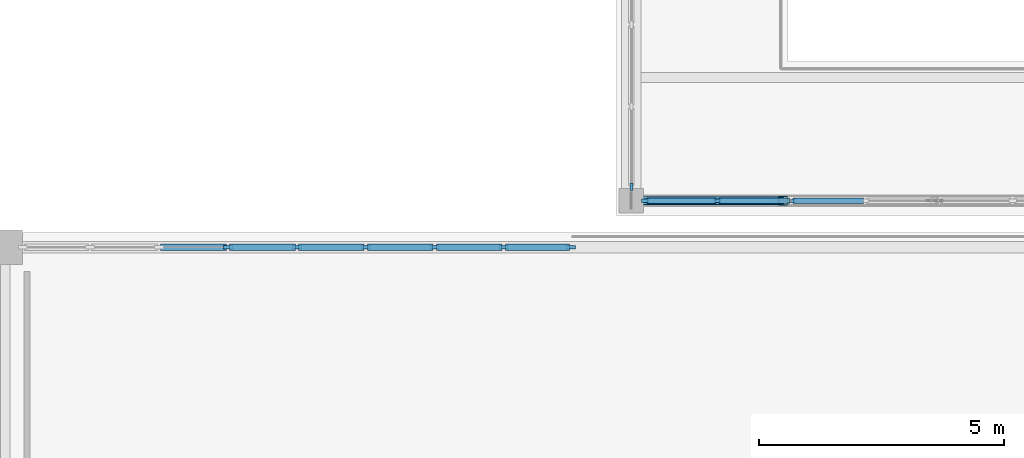
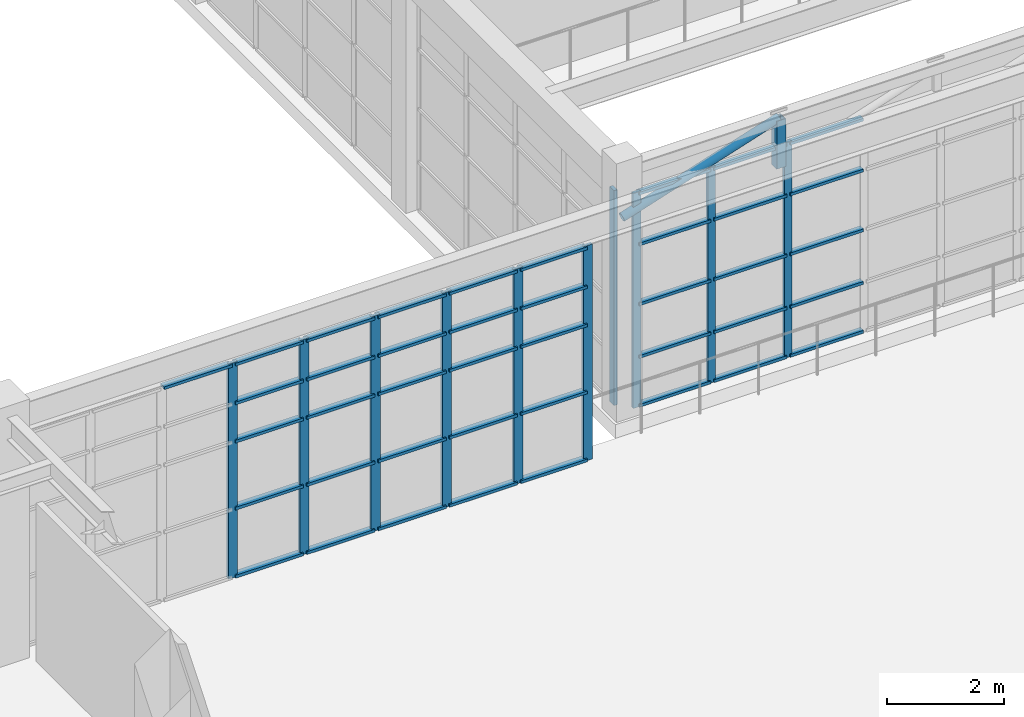
# One storey, part 44 of 103: 53 members, 3 elements without a shape of their own.
"""IFC4 building model written with IfcOpenShell, lengths in metres."""

from ifc_helpers import new_model, si_unit, direction, frame, origin, origin_2d, place, context, subcontext, project, spatial, rectangle, hollow_rectangle, hollow_circle, extrude, material, layer, layer_set, material_profile, profile_set, type_object, element, aggregate, save


model = new_model("IFC4")

# Units and contexts
model_context = context("Model", 3, precision=1e-05, world=origin(), true_north=direction((0.0, 1.0)))
body_context = subcontext(model_context, "Body", "Model", "MODEL_VIEW")
ifc_project = project(units=[si_unit("LENGTHUNIT", "METRE"), si_unit("AREAUNIT", "SQUARE_METRE"), si_unit("VOLUMEUNIT", "CUBIC_METRE"), si_unit("PLANEANGLEUNIT", "RADIAN"), si_unit("MASSUNIT", "GRAM", prefix="KILO")], contexts=[model_context])

# Site, building, storey
site_placement = place(None, origin())
site = spatial("IfcSite", under=ifc_project, at=site_placement, CompositionType="ELEMENT")
building_placement = place(site_placement, origin())
building = spatial("IfcBuilding", under=site, at=building_placement, Name="Candilejo Ridge Gondola Terminal", CompositionType="ELEMENT")
storey_placement = place(building_placement, frame((0.0, 0.0, 9.0)))
storey = spatial("IfcBuildingStorey", under=building, at=storey_placement, Name="L02", CompositionType="ELEMENT", Elevation=9.0)

# Curtain wall, member
ifc_material_1 = material(Name="Anodised aluminium AA 6063-T6", Category="aluminium")
ifc_layer_1 = layer(ifc_material_1, 0.169921875)
ifc_layer_set_1 = layer_set([ifc_layer_1], Name="ARC-CW-TOWER-3000-670X449")
curtain_wall_type_1 = type_object("IfcCurtainWallType", Name="ARC-CW-TOWER-3000-670X449", PredefinedType="NOTDEFINED", material=ifc_layer_set_1)
curtain_wall_1_placement = place(storey_placement, origin())
curtain_wall_1 = element("IfcCurtainWall", 1, at=curtain_wall_1_placement, inside=storey, type_object=curtain_wall_type_1, Name="Curtain wall V5 L02-174", PredefinedType="NOTDEFINED")
ifc_material_2 = material(Name="Anodised aluminium AA 6063-T6", Category="aluminium")
ifc_material_profile_1 = material_profile(ifc_material_2, rectangle(XDim=0.06494140625, YDim=0.14990234375, at=origin_2d()))
ifc_profile_set_1 = profile_set([ifc_material_profile_1], Name="Anodised aluminium AA 6063-T6")
member_type_1 = type_object("IfcMemberType", Name="ARC-CW-MULLION-150", PredefinedType="MULLION", material=ifc_profile_set_1)
member_1_placement = place(storey_placement, frame((150.0, 48.9326171875, 0.0), z_axis=(0.0, 0.0, 1.0), x_axis=(-1.0, 0.0, 0.0)))
member_1 = element("IfcMember", 2, at=member_1_placement, type_object=member_type_1, Name="CW-67X44 mullion 1", PredefinedType="MULLION", context=body_context, shape_type="SweptSolid", body=[
    extrude(rectangle(XDim=0.06494140625, YDim=0.14990234375, at=origin_2d()), origin(), (0.0, 0.0, 1.0), 4.489990234375),
])
aggregate(curtain_wall_1, [member_1])

# Curtain wall, members
ifc_material_3 = material(Name="Anodised aluminium AA 6063-T6", Category="aluminium")
ifc_layer_2 = layer(ifc_material_3, 0.169921875)
ifc_layer_set_2 = layer_set([ifc_layer_2], Name="ARC-CW-TOWER-3000-1810X449")
curtain_wall_type_2 = type_object("IfcCurtainWallType", Name="ARC-CW-TOWER-3000-1810X449", PredefinedType="NOTDEFINED", material=ifc_layer_set_2)
curtain_wall_2_placement = place(storey_placement, origin())
curtain_wall_2 = element("IfcCurtainWall", 3, at=curtain_wall_2_placement, inside=storey, type_object=curtain_wall_type_2, Name="Curtain wall V5 L02-192", PredefinedType="NOTDEFINED")
member_2_placement = place(storey_placement, frame((150.282470703125, 48.64990234375, 0.0), z_axis=(0.0, 0.0, 1.0), x_axis=(0.0, 1.0, 0.0)))
member_2 = element("IfcMember", 4, at=member_2_placement, type_object=member_type_1, Name="CW-181X44 mullion 1", PredefinedType="MULLION", context=body_context, shape_type="SweptSolid", body=[
    extrude(rectangle(XDim=0.06494140625, YDim=0.14990234375, at=origin_2d()), origin(), (0.0, 0.0, 1.0), 4.489990234375),
])
member_3_placement = place(storey_placement, frame((151.75830078125, 48.64990234375, 0.0), z_axis=(0.0, 0.0, 1.0), x_axis=(0.0, 1.0, 0.0)))
member_3 = element("IfcMember", 5, at=member_3_placement, type_object=member_type_1, Name="CW-181X44 mullion 2", PredefinedType="MULLION", context=body_context, shape_type="SweptSolid", body=[
    extrude(rectangle(XDim=0.06494140625, YDim=0.14990234375, at=origin_2d()), origin(), (0.0, 0.0, 1.0), 4.489990234375),
])
member_4_placement = place(storey_placement, frame((153.2666015625, 48.64990234375, 0.0), z_axis=(0.0, 0.0, 1.0), x_axis=(0.0, 1.0, 0.0)))
member_4 = element("IfcMember", 6, at=member_4_placement, type_object=member_type_1, Name="CW-181X44 mullion 3", PredefinedType="MULLION", context=body_context, shape_type="SweptSolid", body=[
    extrude(rectangle(XDim=0.06494140625, YDim=0.14990234375, at=origin_2d()), origin(), (0.0, 0.0, 1.0), 4.489990234375),
])

ifc_material_4 = material(Name="Anodised aluminium AA 6063-T6", Category="aluminium")
ifc_layer_3 = layer(ifc_material_4, 0.169921875)
ifc_layer_set_3 = layer_set([ifc_layer_3], Name="ARC-CW-HALL-3800-1128X449")
curtain_wall_type_3 = type_object("IfcCurtainWallType", Name="ARC-CW-HALL-3800-1128X449", PredefinedType="NOTDEFINED", material=ifc_layer_set_3)
curtain_wall_3_placement = place(storey_placement, origin())
curtain_wall_3 = element("IfcCurtainWall", 7, at=curtain_wall_3_placement, inside=storey, type_object=curtain_wall_type_3, Name="Curtain wall V4 L02-151", PredefinedType="NOTDEFINED")
ifc_material_5 = material(Name="Anodised aluminium AA 6063-T6", Category="aluminium")
ifc_material_profile_2 = material_profile(ifc_material_5, rectangle(XDim=0.06494140625, YDim=0.179931640625, at=origin_2d()))
ifc_profile_set_2 = profile_set([ifc_material_profile_2], Name="Anodised aluminium AA 6063-T6")
member_type_2 = type_object("IfcMemberType", Name="ARC-CW-MULLION-180", PredefinedType="MULLION", material=ifc_profile_set_2)
member_5_placement = place(storey_placement, frame((141.753173828125, 47.699951171875, 0.0), z_axis=(0.0, 0.0, 1.0), x_axis=(0.0, 1.0, 0.0)))
member_5 = element("IfcMember", 8, at=member_5_placement, type_object=member_type_2, Name="CW-112X44 mullion 4", PredefinedType="MULLION", context=body_context, shape_type="SweptSolid", body=[
    extrude(rectangle(XDim=0.06494140625, YDim=0.179931640625, at=origin_2d()), origin(), (0.0, 0.0, 1.0), 4.489990234375),
])
member_6_placement = place(storey_placement, frame((143.16259765625, 47.699951171875, 0.0), z_axis=(0.0, 0.0, 1.0), x_axis=(0.0, 1.0, 0.0)))
member_6 = element("IfcMember", 9, at=member_6_placement, type_object=member_type_2, Name="CW-112X44 mullion 5", PredefinedType="MULLION", context=body_context, shape_type="SweptSolid", body=[
    extrude(rectangle(XDim=0.06494140625, YDim=0.179931640625, at=origin_2d()), origin(), (0.0, 0.0, 1.0), 4.489990234375),
])
member_7_placement = place(storey_placement, frame((144.57177734375, 47.699951171875, 0.0), z_axis=(0.0, 0.0, 1.0), x_axis=(0.0, 1.0, 0.0)))
member_7 = element("IfcMember", 10, at=member_7_placement, type_object=member_type_2, Name="CW-112X44 mullion 6", PredefinedType="MULLION", context=body_context, shape_type="SweptSolid", body=[
    extrude(rectangle(XDim=0.06494140625, YDim=0.179931640625, at=origin_2d()), origin(), (0.0, 0.0, 1.0), 4.489990234375),
])
member_8_placement = place(storey_placement, frame((145.981201171875, 47.699951171875, 0.0), z_axis=(0.0, 0.0, 1.0), x_axis=(0.0, 1.0, 0.0)))
member_8 = element("IfcMember", 11, at=member_8_placement, type_object=member_type_2, Name="CW-112X44 mullion 7", PredefinedType="MULLION", context=body_context, shape_type="SweptSolid", body=[
    extrude(rectangle(XDim=0.06494140625, YDim=0.179931640625, at=origin_2d()), origin(), (0.0, 0.0, 1.0), 4.489990234375),
])
member_9_placement = place(storey_placement, frame((147.390625, 47.699951171875, 0.0), z_axis=(0.0, 0.0, 1.0), x_axis=(0.0, 1.0, 0.0)))
member_9 = element("IfcMember", 12, at=member_9_placement, type_object=member_type_2, Name="CW-112X44 mullion 8", PredefinedType="MULLION", context=body_context, shape_type="SweptSolid", body=[
    extrude(rectangle(XDim=0.06494140625, YDim=0.179931640625, at=origin_2d()), origin(), (0.0, 0.0, 1.0), 4.489990234375),
])
member_10_placement = place(storey_placement, frame((148.767578125, 47.699951171875, 0.0), z_axis=(0.0, 0.0, 1.0), x_axis=(0.0, 1.0, 0.0)))
member_10 = element("IfcMember", 13, at=member_10_placement, type_object=member_type_2, Name="CW-112X44 mullion 9", PredefinedType="MULLION", context=body_context, shape_type="SweptSolid", body=[
    extrude(rectangle(XDim=0.06494140625, YDim=0.179931640625, at=origin_2d()), origin(), (0.0, 0.0, 1.0), 4.489990234375),
])

# Member
ifc_material_6 = material(Name="Anodised aluminium AA 6063-T6", Category="aluminium")
ifc_material_profile_3 = material_profile(ifc_material_6, rectangle(XDim=0.110107421875, YDim=0.06005859375, at=origin_2d()))
ifc_profile_set_3 = profile_set([ifc_material_profile_3], Name="Anodised aluminium AA 6063-T6")
member_type_3 = type_object("IfcMemberType", Name="ARC-CW-TRANSOM-110", PredefinedType="USERDEFINED", material=ifc_profile_set_3)
member_11_placement = place(storey_placement, frame((150.31494140625, 48.64990234375, 0.030029296875), z_axis=(1.0, 0.0, 0.0), x_axis=(0.0, 1.0, 0.0)))
member_11 = element("IfcMember", 14, at=member_11_placement, type_object=member_type_3, Name="CW-181X44 transom 1.1", ObjectType="TRANSOM", PredefinedType="USERDEFINED", context=body_context, shape_type="SweptSolid", body=[
    extrude(rectangle(XDim=0.110107421875, YDim=0.06005859375, at=origin_2d()), origin(), (0.0, 0.0, 1.0), 1.410888671875),
])

member_12_placement = place(storey_placement, frame((150.31494140625, 48.64990234375, 1.050048828125), z_axis=(1.0, 0.0, 0.0), x_axis=(0.0, 1.0, 0.0)))
member_12 = element("IfcMember", 15, at=member_12_placement, type_object=member_type_3, Name="CW-181X44 transom 1.2", ObjectType="TRANSOM", PredefinedType="USERDEFINED", context=body_context, shape_type="SweptSolid", body=[
    extrude(rectangle(XDim=0.110107421875, YDim=0.06005859375, at=origin_2d()), origin(), (0.0, 0.0, 1.0), 1.410888671875),
])

member_13_placement = place(storey_placement, frame((150.31494140625, 48.64990234375, 2.14990234375), z_axis=(1.0, 0.0, 0.0), x_axis=(0.0, 1.0, 0.0)))
member_13 = element("IfcMember", 16, at=member_13_placement, type_object=member_type_3, Name="CW-181X44 transom 1.3", ObjectType="TRANSOM", PredefinedType="USERDEFINED", context=body_context, shape_type="SweptSolid", body=[
    extrude(rectangle(XDim=0.110107421875, YDim=0.06005859375, at=origin_2d()), origin(), (0.0, 0.0, 1.0), 1.410888671875),
])

member_14_placement = place(storey_placement, frame((150.31494140625, 48.64990234375, 3.39990234375), z_axis=(1.0, 0.0, 0.0), x_axis=(0.0, 1.0, 0.0)))
member_14 = element("IfcMember", 17, at=member_14_placement, type_object=member_type_3, Name="CW-181X44 transom 1.4", ObjectType="TRANSOM", PredefinedType="USERDEFINED", context=body_context, shape_type="SweptSolid", body=[
    extrude(rectangle(XDim=0.110107421875, YDim=0.06005859375, at=origin_2d()), origin(), (0.0, 0.0, 1.0), 1.410888671875),
])

member_15_placement = place(storey_placement, frame((150.31494140625, 48.64990234375, 4.4599609375), z_axis=(1.0, 0.0, 0.0), x_axis=(0.0, 1.0, 0.0)))
member_15 = element("IfcMember", 18, at=member_15_placement, type_object=member_type_3, Name="CW-181X44 transom 1.5", ObjectType="TRANSOM", PredefinedType="USERDEFINED", context=body_context, shape_type="SweptSolid", body=[
    extrude(rectangle(XDim=0.110107421875, YDim=0.06005859375, at=origin_2d()), origin(), (0.0, 0.0, 1.0), 1.410888671875),
])

member_16_placement = place(storey_placement, frame((151.790771484375, 48.64990234375, 0.030029296875), z_axis=(1.0, 0.0, 0.0), x_axis=(0.0, 1.0, 0.0)))
member_16 = element("IfcMember", 19, at=member_16_placement, type_object=member_type_3, Name="CW-181X44 transom 2.1", ObjectType="TRANSOM", PredefinedType="USERDEFINED", context=body_context, shape_type="SweptSolid", body=[
    extrude(rectangle(XDim=0.110107421875, YDim=0.06005859375, at=origin_2d()), origin(), (0.0, 0.0, 1.0), 1.443359375),
])

member_17_placement = place(storey_placement, frame((151.790771484375, 48.64990234375, 1.050048828125), z_axis=(1.0, 0.0, 0.0), x_axis=(0.0, 1.0, 0.0)))
member_17 = element("IfcMember", 20, at=member_17_placement, type_object=member_type_3, Name="CW-181X44 transom 2.2", ObjectType="TRANSOM", PredefinedType="USERDEFINED", context=body_context, shape_type="SweptSolid", body=[
    extrude(rectangle(XDim=0.110107421875, YDim=0.06005859375, at=origin_2d()), origin(), (0.0, 0.0, 1.0), 1.443359375),
])

member_18_placement = place(storey_placement, frame((151.790771484375, 48.64990234375, 2.14990234375), z_axis=(1.0, 0.0, 0.0), x_axis=(0.0, 1.0, 0.0)))
member_18 = element("IfcMember", 21, at=member_18_placement, type_object=member_type_3, Name="CW-181X44 transom 2.3", ObjectType="TRANSOM", PredefinedType="USERDEFINED", context=body_context, shape_type="SweptSolid", body=[
    extrude(rectangle(XDim=0.110107421875, YDim=0.06005859375, at=origin_2d()), origin(), (0.0, 0.0, 1.0), 1.443359375),
])

member_19_placement = place(storey_placement, frame((151.790771484375, 48.64990234375, 3.39990234375), z_axis=(1.0, 0.0, 0.0), x_axis=(0.0, 1.0, 0.0)))
member_19 = element("IfcMember", 22, at=member_19_placement, type_object=member_type_3, Name="CW-181X44 transom 2.4", ObjectType="TRANSOM", PredefinedType="USERDEFINED", context=body_context, shape_type="SweptSolid", body=[
    extrude(rectangle(XDim=0.110107421875, YDim=0.06005859375, at=origin_2d()), origin(), (0.0, 0.0, 1.0), 1.443359375),
])

member_20_placement = place(storey_placement, frame((151.790771484375, 48.64990234375, 4.4599609375), z_axis=(1.0, 0.0, 0.0), x_axis=(0.0, 1.0, 0.0)))
member_20 = element("IfcMember", 23, at=member_20_placement, type_object=member_type_3, Name="CW-181X44 transom 2.5", ObjectType="TRANSOM", PredefinedType="USERDEFINED", context=body_context, shape_type="SweptSolid", body=[
    extrude(rectangle(XDim=0.110107421875, YDim=0.06005859375, at=origin_2d()), origin(), (0.0, 0.0, 1.0), 1.443359375),
])

member_21_placement = place(storey_placement, frame((153.299072265625, 48.64990234375, 0.030029296875), z_axis=(1.0, 0.0, 0.0), x_axis=(0.0, 1.0, 0.0)))
member_21 = element("IfcMember", 24, at=member_21_placement, type_object=member_type_3, Name="CW-181X44 transom 3.1", ObjectType="TRANSOM", PredefinedType="USERDEFINED", context=body_context, shape_type="SweptSolid", body=[
    extrude(rectangle(XDim=0.110107421875, YDim=0.06005859375, at=origin_2d()), origin(), (0.0, 0.0, 1.0), 1.443359375),
])

member_22_placement = place(storey_placement, frame((153.299072265625, 48.64990234375, 1.050048828125), z_axis=(1.0, 0.0, 0.0), x_axis=(0.0, 1.0, 0.0)))
member_22 = element("IfcMember", 25, at=member_22_placement, type_object=member_type_3, Name="CW-181X44 transom 3.2", ObjectType="TRANSOM", PredefinedType="USERDEFINED", context=body_context, shape_type="SweptSolid", body=[
    extrude(rectangle(XDim=0.110107421875, YDim=0.06005859375, at=origin_2d()), origin(), (0.0, 0.0, 1.0), 1.443359375),
])

member_23_placement = place(storey_placement, frame((153.299072265625, 48.64990234375, 2.14990234375), z_axis=(1.0, 0.0, 0.0), x_axis=(0.0, 1.0, 0.0)))
member_23 = element("IfcMember", 26, at=member_23_placement, type_object=member_type_3, Name="CW-181X44 transom 3.3", ObjectType="TRANSOM", PredefinedType="USERDEFINED", context=body_context, shape_type="SweptSolid", body=[
    extrude(rectangle(XDim=0.110107421875, YDim=0.06005859375, at=origin_2d()), origin(), (0.0, 0.0, 1.0), 1.443359375),
])

member_24_placement = place(storey_placement, frame((153.299072265625, 48.64990234375, 3.39990234375), z_axis=(1.0, 0.0, 0.0), x_axis=(0.0, 1.0, 0.0)))
member_24 = element("IfcMember", 27, at=member_24_placement, type_object=member_type_3, Name="CW-181X44 transom 3.4", ObjectType="TRANSOM", PredefinedType="USERDEFINED", context=body_context, shape_type="SweptSolid", body=[
    extrude(rectangle(XDim=0.110107421875, YDim=0.06005859375, at=origin_2d()), origin(), (0.0, 0.0, 1.0), 1.443359375),
])

member_25_placement = place(storey_placement, frame((153.299072265625, 48.64990234375, 4.4599609375), z_axis=(1.0, 0.0, 0.0), x_axis=(0.0, 1.0, 0.0)))
member_25 = element("IfcMember", 28, at=member_25_placement, type_object=member_type_3, Name="CW-181X44 transom 3.5", ObjectType="TRANSOM", PredefinedType="USERDEFINED", context=body_context, shape_type="SweptSolid", body=[
    extrude(rectangle(XDim=0.110107421875, YDim=0.06005859375, at=origin_2d()), origin(), (0.0, 0.0, 1.0), 1.443359375),
])

aggregate(curtain_wall_2, [member_2, member_3, member_4, member_11, member_12, member_13, member_14, member_15, member_16, member_17, member_18, member_19, member_20, member_21, member_22, member_23, member_24, member_25])

ifc_material_7 = material(Name="Anodised aluminium AA 6063-T6", Category="aluminium")
ifc_material_profile_4 = material_profile(ifc_material_7, rectangle(XDim=0.1298828125, YDim=0.06005859375, at=origin_2d()))
ifc_profile_set_4 = profile_set([ifc_material_profile_4], Name="Anodised aluminium AA 6063-T6")
member_type_4 = type_object("IfcMemberType", Name="ARC-CW-TRANSOM-130", PredefinedType="USERDEFINED", material=ifc_profile_set_4)
member_26_placement = place(storey_placement, frame((140.376220703125, 47.699951171875, 4.4599609375), z_axis=(1.0, 0.0, 0.0), x_axis=(0.0, 1.0, 0.0)))
member_26 = element("IfcMember", 29, at=member_26_placement, type_object=member_type_4, Name="CW-112X44 transom 3.5", ObjectType="TRANSOM", PredefinedType="USERDEFINED", context=body_context, shape_type="SweptSolid", body=[
    extrude(rectangle(XDim=0.1298828125, YDim=0.06005859375, at=origin_2d()), origin(), (0.0, 0.0, 1.0), 1.344482421875),
])

member_27_placement = place(storey_placement, frame((141.78564453125, 47.699951171875, 0.030029296875), z_axis=(1.0, 0.0, 0.0), x_axis=(0.0, 1.0, 0.0)))
member_27 = element("IfcMember", 30, at=member_27_placement, type_object=member_type_4, Name="CW-112X44 transom 4.1", ObjectType="TRANSOM", PredefinedType="USERDEFINED", context=body_context, shape_type="SweptSolid", body=[
    extrude(rectangle(XDim=0.1298828125, YDim=0.06005859375, at=origin_2d()), origin(), (0.0, 0.0, 1.0), 1.34423828125),
])

member_28_placement = place(storey_placement, frame((141.78564453125, 47.699951171875, 1.449951171875), z_axis=(1.0, 0.0, 0.0), x_axis=(0.0, 1.0, 0.0)))
member_28 = element("IfcMember", 31, at=member_28_placement, type_object=member_type_4, Name="CW-112X44 transom 4.2", ObjectType="TRANSOM", PredefinedType="USERDEFINED", context=body_context, shape_type="SweptSolid", body=[
    extrude(rectangle(XDim=0.1298828125, YDim=0.06005859375, at=origin_2d()), origin(), (0.0, 0.0, 1.0), 1.34423828125),
])

member_29_placement = place(storey_placement, frame((141.78564453125, 47.699951171875, 2.85009765625), z_axis=(1.0, 0.0, 0.0), x_axis=(0.0, 1.0, 0.0)))
member_29 = element("IfcMember", 32, at=member_29_placement, type_object=member_type_4, Name="CW-112X44 transom 4.3", ObjectType="TRANSOM", PredefinedType="USERDEFINED", context=body_context, shape_type="SweptSolid", body=[
    extrude(rectangle(XDim=0.1298828125, YDim=0.06005859375, at=origin_2d()), origin(), (0.0, 0.0, 1.0), 1.34423828125),
])

member_30_placement = place(storey_placement, frame((141.78564453125, 47.699951171875, 3.64990234375), z_axis=(1.0, 0.0, 0.0), x_axis=(0.0, 1.0, 0.0)))
member_30 = element("IfcMember", 33, at=member_30_placement, type_object=member_type_4, Name="CW-112X44 transom 4.4", ObjectType="TRANSOM", PredefinedType="USERDEFINED", context=body_context, shape_type="SweptSolid", body=[
    extrude(rectangle(XDim=0.1298828125, YDim=0.06005859375, at=origin_2d()), origin(), (0.0, 0.0, 1.0), 1.34423828125),
])

member_31_placement = place(storey_placement, frame((141.78564453125, 47.699951171875, 4.4599609375), z_axis=(1.0, 0.0, 0.0), x_axis=(0.0, 1.0, 0.0)))
member_31 = element("IfcMember", 34, at=member_31_placement, type_object=member_type_4, Name="CW-112X44 transom 4.5", ObjectType="TRANSOM", PredefinedType="USERDEFINED", context=body_context, shape_type="SweptSolid", body=[
    extrude(rectangle(XDim=0.1298828125, YDim=0.06005859375, at=origin_2d()), origin(), (0.0, 0.0, 1.0), 1.34423828125),
])

member_32_placement = place(storey_placement, frame((143.195068359375, 47.699951171875, 0.030029296875), z_axis=(1.0, 0.0, 0.0), x_axis=(0.0, 1.0, 0.0)))
member_32 = element("IfcMember", 35, at=member_32_placement, type_object=member_type_4, Name="CW-112X44 transom 5.1", ObjectType="TRANSOM", PredefinedType="USERDEFINED", context=body_context, shape_type="SweptSolid", body=[
    extrude(rectangle(XDim=0.1298828125, YDim=0.06005859375, at=origin_2d()), origin(), (0.0, 0.0, 1.0), 1.34423828125),
])

member_33_placement = place(storey_placement, frame((143.195068359375, 47.699951171875, 1.449951171875), z_axis=(1.0, 0.0, 0.0), x_axis=(0.0, 1.0, 0.0)))
member_33 = element("IfcMember", 36, at=member_33_placement, type_object=member_type_4, Name="CW-112X44 transom 5.2", ObjectType="TRANSOM", PredefinedType="USERDEFINED", context=body_context, shape_type="SweptSolid", body=[
    extrude(rectangle(XDim=0.1298828125, YDim=0.06005859375, at=origin_2d()), origin(), (0.0, 0.0, 1.0), 1.34423828125),
])

member_34_placement = place(storey_placement, frame((143.195068359375, 47.699951171875, 2.85009765625), z_axis=(1.0, 0.0, 0.0), x_axis=(0.0, 1.0, 0.0)))
member_34 = element("IfcMember", 37, at=member_34_placement, type_object=member_type_4, Name="CW-112X44 transom 5.3", ObjectType="TRANSOM", PredefinedType="USERDEFINED", context=body_context, shape_type="SweptSolid", body=[
    extrude(rectangle(XDim=0.1298828125, YDim=0.06005859375, at=origin_2d()), origin(), (0.0, 0.0, 1.0), 1.34423828125),
])

member_35_placement = place(storey_placement, frame((143.195068359375, 47.699951171875, 3.64990234375), z_axis=(1.0, 0.0, 0.0), x_axis=(0.0, 1.0, 0.0)))
member_35 = element("IfcMember", 38, at=member_35_placement, type_object=member_type_4, Name="CW-112X44 transom 5.4", ObjectType="TRANSOM", PredefinedType="USERDEFINED", context=body_context, shape_type="SweptSolid", body=[
    extrude(rectangle(XDim=0.1298828125, YDim=0.06005859375, at=origin_2d()), origin(), (0.0, 0.0, 1.0), 1.34423828125),
])

member_36_placement = place(storey_placement, frame((143.195068359375, 47.699951171875, 4.4599609375), z_axis=(1.0, 0.0, 0.0), x_axis=(0.0, 1.0, 0.0)))
member_36 = element("IfcMember", 39, at=member_36_placement, type_object=member_type_4, Name="CW-112X44 transom 5.5", ObjectType="TRANSOM", PredefinedType="USERDEFINED", context=body_context, shape_type="SweptSolid", body=[
    extrude(rectangle(XDim=0.1298828125, YDim=0.06005859375, at=origin_2d()), origin(), (0.0, 0.0, 1.0), 1.34423828125),
])

member_37_placement = place(storey_placement, frame((144.6044921875, 47.699951171875, 0.030029296875), z_axis=(1.0, 0.0, 0.0), x_axis=(0.0, 1.0, 0.0)))
member_37 = element("IfcMember", 40, at=member_37_placement, type_object=member_type_4, Name="CW-112X44 transom 6.1", ObjectType="TRANSOM", PredefinedType="USERDEFINED", context=body_context, shape_type="SweptSolid", body=[
    extrude(rectangle(XDim=0.1298828125, YDim=0.06005859375, at=origin_2d()), origin(), (0.0, 0.0, 1.0), 1.34423828125),
])

member_38_placement = place(storey_placement, frame((144.6044921875, 47.699951171875, 1.449951171875), z_axis=(1.0, 0.0, 0.0), x_axis=(0.0, 1.0, 0.0)))
member_38 = element("IfcMember", 41, at=member_38_placement, type_object=member_type_4, Name="CW-112X44 transom 6.2", ObjectType="TRANSOM", PredefinedType="USERDEFINED", context=body_context, shape_type="SweptSolid", body=[
    extrude(rectangle(XDim=0.1298828125, YDim=0.06005859375, at=origin_2d()), origin(), (0.0, 0.0, 1.0), 1.34423828125),
])

member_39_placement = place(storey_placement, frame((144.6044921875, 47.699951171875, 2.85009765625), z_axis=(1.0, 0.0, 0.0), x_axis=(0.0, 1.0, 0.0)))
member_39 = element("IfcMember", 42, at=member_39_placement, type_object=member_type_4, Name="CW-112X44 transom 6.3", ObjectType="TRANSOM", PredefinedType="USERDEFINED", context=body_context, shape_type="SweptSolid", body=[
    extrude(rectangle(XDim=0.1298828125, YDim=0.06005859375, at=origin_2d()), origin(), (0.0, 0.0, 1.0), 1.34423828125),
])

member_40_placement = place(storey_placement, frame((144.6044921875, 47.699951171875, 3.64990234375), z_axis=(1.0, 0.0, 0.0), x_axis=(0.0, 1.0, 0.0)))
member_40 = element("IfcMember", 43, at=member_40_placement, type_object=member_type_4, Name="CW-112X44 transom 6.4", ObjectType="TRANSOM", PredefinedType="USERDEFINED", context=body_context, shape_type="SweptSolid", body=[
    extrude(rectangle(XDim=0.1298828125, YDim=0.06005859375, at=origin_2d()), origin(), (0.0, 0.0, 1.0), 1.34423828125),
])

member_41_placement = place(storey_placement, frame((144.6044921875, 47.699951171875, 4.4599609375), z_axis=(1.0, 0.0, 0.0), x_axis=(0.0, 1.0, 0.0)))
member_41 = element("IfcMember", 44, at=member_41_placement, type_object=member_type_4, Name="CW-112X44 transom 6.5", ObjectType="TRANSOM", PredefinedType="USERDEFINED", context=body_context, shape_type="SweptSolid", body=[
    extrude(rectangle(XDim=0.1298828125, YDim=0.06005859375, at=origin_2d()), origin(), (0.0, 0.0, 1.0), 1.34423828125),
])

member_42_placement = place(storey_placement, frame((146.013671875, 47.699951171875, 0.030029296875), z_axis=(1.0, 0.0, 0.0), x_axis=(0.0, 1.0, 0.0)))
member_42 = element("IfcMember", 45, at=member_42_placement, type_object=member_type_4, Name="CW-112X44 transom 7.1", ObjectType="TRANSOM", PredefinedType="USERDEFINED", context=body_context, shape_type="SweptSolid", body=[
    extrude(rectangle(XDim=0.1298828125, YDim=0.06005859375, at=origin_2d()), origin(), (0.0, 0.0, 1.0), 1.344482421875),
])

member_43_placement = place(storey_placement, frame((146.013671875, 47.699951171875, 1.449951171875), z_axis=(1.0, 0.0, 0.0), x_axis=(0.0, 1.0, 0.0)))
member_43 = element("IfcMember", 46, at=member_43_placement, type_object=member_type_4, Name="CW-112X44 transom 7.2", ObjectType="TRANSOM", PredefinedType="USERDEFINED", context=body_context, shape_type="SweptSolid", body=[
    extrude(rectangle(XDim=0.1298828125, YDim=0.06005859375, at=origin_2d()), origin(), (0.0, 0.0, 1.0), 1.344482421875),
])

member_44_placement = place(storey_placement, frame((146.013671875, 47.699951171875, 2.85009765625), z_axis=(1.0, 0.0, 0.0), x_axis=(0.0, 1.0, 0.0)))
member_44 = element("IfcMember", 47, at=member_44_placement, type_object=member_type_4, Name="CW-112X44 transom 7.3", ObjectType="TRANSOM", PredefinedType="USERDEFINED", context=body_context, shape_type="SweptSolid", body=[
    extrude(rectangle(XDim=0.1298828125, YDim=0.06005859375, at=origin_2d()), origin(), (0.0, 0.0, 1.0), 1.344482421875),
])

member_45_placement = place(storey_placement, frame((146.013671875, 47.699951171875, 3.64990234375), z_axis=(1.0, 0.0, 0.0), x_axis=(0.0, 1.0, 0.0)))
member_45 = element("IfcMember", 48, at=member_45_placement, type_object=member_type_4, Name="CW-112X44 transom 7.4", ObjectType="TRANSOM", PredefinedType="USERDEFINED", context=body_context, shape_type="SweptSolid", body=[
    extrude(rectangle(XDim=0.1298828125, YDim=0.06005859375, at=origin_2d()), origin(), (0.0, 0.0, 1.0), 1.344482421875),
])

member_46_placement = place(storey_placement, frame((146.013671875, 47.699951171875, 4.4599609375), z_axis=(1.0, 0.0, 0.0), x_axis=(0.0, 1.0, 0.0)))
member_46 = element("IfcMember", 49, at=member_46_placement, type_object=member_type_4, Name="CW-112X44 transom 7.5", ObjectType="TRANSOM", PredefinedType="USERDEFINED", context=body_context, shape_type="SweptSolid", body=[
    extrude(rectangle(XDim=0.1298828125, YDim=0.06005859375, at=origin_2d()), origin(), (0.0, 0.0, 1.0), 1.344482421875),
])

member_47_placement = place(storey_placement, frame((147.423095703125, 47.699951171875, 0.030029296875), z_axis=(1.0, 0.0, 0.0), x_axis=(0.0, 1.0, 0.0)))
member_47 = element("IfcMember", 50, at=member_47_placement, type_object=member_type_4, Name="CW-112X44 transom 8.1", ObjectType="TRANSOM", PredefinedType="USERDEFINED", context=body_context, shape_type="SweptSolid", body=[
    extrude(rectangle(XDim=0.1298828125, YDim=0.06005859375, at=origin_2d()), origin(), (0.0, 0.0, 1.0), 1.31201171875),
])

member_48_placement = place(storey_placement, frame((147.423095703125, 47.699951171875, 1.449951171875), z_axis=(1.0, 0.0, 0.0), x_axis=(0.0, 1.0, 0.0)))
member_48 = element("IfcMember", 51, at=member_48_placement, type_object=member_type_4, Name="CW-112X44 transom 8.2", ObjectType="TRANSOM", PredefinedType="USERDEFINED", context=body_context, shape_type="SweptSolid", body=[
    extrude(rectangle(XDim=0.1298828125, YDim=0.06005859375, at=origin_2d()), origin(), (0.0, 0.0, 1.0), 1.31201171875),
])

member_49_placement = place(storey_placement, frame((147.423095703125, 47.699951171875, 2.85009765625), z_axis=(1.0, 0.0, 0.0), x_axis=(0.0, 1.0, 0.0)))
member_49 = element("IfcMember", 52, at=member_49_placement, type_object=member_type_4, Name="CW-112X44 transom 8.3", ObjectType="TRANSOM", PredefinedType="USERDEFINED", context=body_context, shape_type="SweptSolid", body=[
    extrude(rectangle(XDim=0.1298828125, YDim=0.06005859375, at=origin_2d()), origin(), (0.0, 0.0, 1.0), 1.31201171875),
])

member_50_placement = place(storey_placement, frame((147.423095703125, 47.699951171875, 3.64990234375), z_axis=(1.0, 0.0, 0.0), x_axis=(0.0, 1.0, 0.0)))
member_50 = element("IfcMember", 53, at=member_50_placement, type_object=member_type_4, Name="CW-112X44 transom 8.4", ObjectType="TRANSOM", PredefinedType="USERDEFINED", context=body_context, shape_type="SweptSolid", body=[
    extrude(rectangle(XDim=0.1298828125, YDim=0.06005859375, at=origin_2d()), origin(), (0.0, 0.0, 1.0), 1.31201171875),
])

member_51_placement = place(storey_placement, frame((147.423095703125, 47.699951171875, 4.4599609375), z_axis=(1.0, 0.0, 0.0), x_axis=(0.0, 1.0, 0.0)))
member_51 = element("IfcMember", 54, at=member_51_placement, type_object=member_type_4, Name="CW-112X44 transom 8.5", ObjectType="TRANSOM", PredefinedType="USERDEFINED", context=body_context, shape_type="SweptSolid", body=[
    extrude(rectangle(XDim=0.1298828125, YDim=0.06005859375, at=origin_2d()), origin(), (0.0, 0.0, 1.0), 1.31201171875),
])

aggregate(curtain_wall_3, [member_5, member_6, member_7, member_8, member_9, member_10, member_26, member_27, member_28, member_29, member_30, member_31, member_32, member_33, member_34, member_35, member_36, member_37, member_38, member_39, member_40, member_41, member_42, member_43, member_44, member_45, member_46, member_47, member_48, member_49, member_50, member_51])

# Members
ifc_material_8 = material(Name="Steel ASTM A500 Grade C", Category="steel")
ifc_material_profile_5 = material_profile(ifc_material_8, hollow_circle(Radius=0.084228515625, WallThickness=0.007080078125, at=origin_2d()))
ifc_profile_set_5 = profile_set([ifc_material_profile_5], Name="Steel ASTM A500 Grade C")
member_type_5 = type_object("IfcMemberType", Name="STR-BRC-CHS168", PredefinedType="BRACE", material=ifc_profile_set_5)
member_52_placement = place(storey_placement, frame((150.0, 48.64990234375, 4.050048828125), z_axis=(0.951711443346, 0.0, 0.306994020471), x_axis=(0.0, 1.0, 0.0)))
element("IfcMember", 55, at=member_52_placement, inside=storey, type_object=member_type_5, Name="Garage truss diagonal 01-01", PredefinedType="BRACE", context=body_context, shape_type="SweptSolid", body=[
    extrude(hollow_circle(Radius=0.084228515625, WallThickness=0.007080078125, at=origin_2d()), origin(), (0.0, 0.0, 1.0), 3.25732421875),
])
ifc_material_9 = material(Name="Steel ASTM A500 Grade C", Category="steel")
ifc_material_profile_6 = material_profile(ifc_material_9, hollow_rectangle(XDim=0.179931640625, YDim=0.179931640625, WallThickness=0.00634765625, at=origin_2d()))
ifc_profile_set_6 = profile_set([ifc_material_profile_6], Name="Steel ASTM A500 Grade C")
member_type_6 = type_object("IfcMemberType", Name="STR-PST-HSS180", PredefinedType="POST", material=ifc_profile_set_6)
member_53_placement = place(storey_placement, frame((153.10009765625, 48.64990234375, 4.050048828125), z_axis=(0.0, 0.0, 1.0), x_axis=(1.0, 0.0, 0.0)))
element("IfcMember", 56, at=member_53_placement, inside=storey, type_object=member_type_6, Name="Garage truss post 01-01", PredefinedType="POST", context=body_context, shape_type="SweptSolid", body=[
    extrude(hollow_rectangle(XDim=0.179931640625, YDim=0.179931640625, WallThickness=0.00634765625, at=origin_2d()), origin(), (0.0, 0.0, 1.0), 1.0),
])

save(model, "model.ifc")
